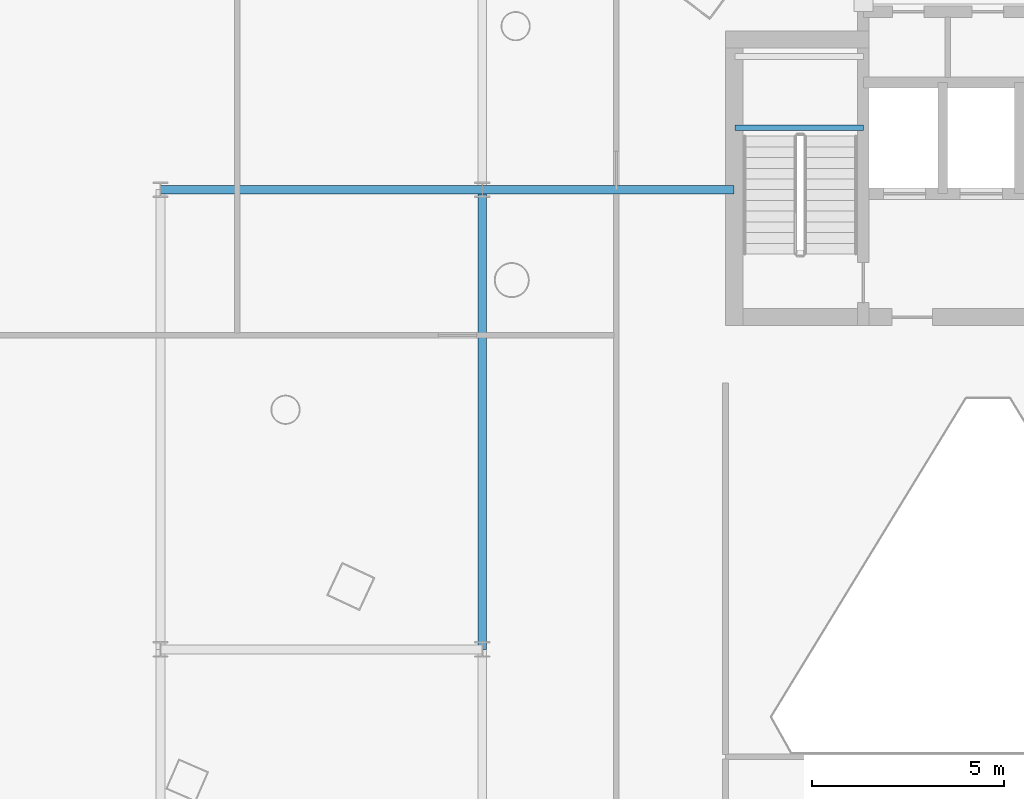
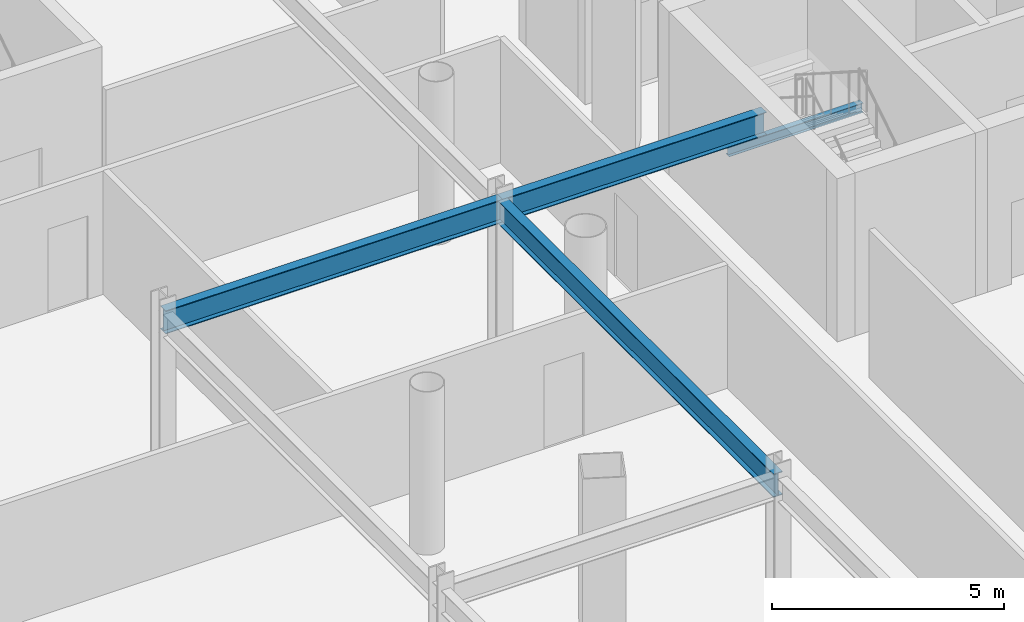
# One storey, part 12 of 46: 4 beams.
"""IFC4 building model written with IfcOpenShell, lengths in metres."""

from ifc_helpers import new_model, si_unit, direction, frame, origin, origin_2d, place, context, subcontext, project, spatial, i_section, extrude, material, material_profile, profile_set, type_object, element, save


model = new_model("IFC4")

# Units and contexts
model_context = context("Model", 3, precision=1e-05, world=origin(), true_north=direction((0.0, 1.0)))
body_context = subcontext(model_context, "Body", "Model", "MODEL_VIEW")
ifc_project = project(units=[si_unit("LENGTHUNIT", "METRE"), si_unit("AREAUNIT", "SQUARE_METRE"), si_unit("VOLUMEUNIT", "CUBIC_METRE"), si_unit("PLANEANGLEUNIT", "RADIAN"), si_unit("MASSUNIT", "GRAM", prefix="KILO")], contexts=[model_context])

# Site, building, storey
site_placement = place(None, origin())
site = spatial("IfcSite", under=ifc_project, at=site_placement, CompositionType="ELEMENT")
building_placement = place(site_placement, origin())
building = spatial("IfcBuilding", under=site, at=building_placement, Name="Orvanel Arch Residences", CompositionType="ELEMENT")
storey_placement = place(building_placement, frame((0.0, 0.0, 14.10009765625)))
storey = spatial("IfcBuildingStorey", under=building, at=storey_placement, Name="L03", CompositionType="ELEMENT", Elevation=14.10009765625)

# Beams
ifc_material = material(Name="Structural steel AS/NZS 3679.1 Grade 300 (300 MPa)", Category="steel")
ifc_material_profile_1 = material_profile(ifc_material, i_section(OverallWidth=0.22900390625, OverallDepth=0.612060546875, WebThickness=0.011962890625, FlangeThickness=0.01953125, at=origin_2d()), Name="610UB125")
ifc_profile_set_1 = profile_set([ifc_material_profile_1], Name="Structural steel AS/NZS 3679.1 Grade 300 (300 MPa)")
beam_type_1 = type_object("IfcBeamType", Name="BG-610UB", PredefinedType="BEAM", material=ifc_profile_set_1)
beam_1_placement = place(storey_placement, frame((11.39990234375, 30.0, 3.593994140625), z_axis=(1.0, 0.0, 0.0), x_axis=(0.0, 1.0, 0.0)))
element("IfcBeam", 1, at=beam_1_placement, inside=storey, type_object=beam_type_1, Name="L03 BG-610UB beam", PredefinedType="BEAM", context=body_context, shape_type="SweptSolid", body=[
    extrude(i_section(OverallWidth=0.22900390625, OverallDepth=0.612060546875, WebThickness=0.011962890625, FlangeThickness=0.01953125, at=origin_2d()), origin(), (0.0, 0.0, 1.0), 8.400146484375),
])
beam_2_placement = place(storey_placement, frame((19.800048828125, 30.0, 3.593994140625), z_axis=(1.0, 0.0, 0.0), x_axis=(0.0, 1.0, 0.0)))
element("IfcBeam", 2, at=beam_2_placement, inside=storey, type_object=beam_type_1, Name="L03 BG-610UB beam", PredefinedType="BEAM", context=body_context, shape_type="SweptSolid", body=[
    extrude(i_section(OverallWidth=0.22900390625, OverallDepth=0.612060546875, WebThickness=0.011962890625, FlangeThickness=0.01953125, at=origin_2d()), origin(), (0.0, 0.0, 1.0), 6.574951171875),
])
beam_3_placement = place(storey_placement, frame((19.800048828125, 18.0, 3.593994140625), z_axis=(0.0, 1.0, 0.0), x_axis=(-1.0, 0.0, 0.0)))
element("IfcBeam", 3, at=beam_3_placement, inside=storey, type_object=beam_type_1, Name="L03 North-South Podium Girder XW20-M", PredefinedType="BEAM", context=body_context, shape_type="SweptSolid", body=[
    extrude(i_section(OverallWidth=0.22900390625, OverallDepth=0.612060546875, WebThickness=0.011962890625, FlangeThickness=0.01953125, at=origin_2d()), origin(), (0.0, 0.0, 1.0), 12.0),
])
ifc_material_profile_2 = material_profile(ifc_material, i_section(OverallWidth=0.14599609375, OverallDepth=0.251953125, WebThickness=0.006103515625, FlangeThickness=0.008544921875, at=origin_2d()), Name="250UB31.4")
ifc_profile_set_2 = profile_set([ifc_material_profile_2], Name="Structural steel AS/NZS 3679.1 Grade 300 (300 MPa)")
beam_type_2 = type_object("IfcBeamType", Name="BJ-250UB", PredefinedType="JOIST", material=ifc_profile_set_2)
beam_4_placement = place(storey_placement, frame((26.39990234375, 31.6201171875, 1.823974609375), z_axis=(1.0, 0.0, 0.0), x_axis=(0.0, 1.0, 0.0)))
element("IfcBeam", 4, at=beam_4_placement, inside=storey, type_object=beam_type_2, Name="L03 ST-1 Half-Landing Support Beam 1.1", PredefinedType="JOIST", context=body_context, shape_type="SweptSolid", body=[
    extrude(i_section(OverallWidth=0.14599609375, OverallDepth=0.251953125, WebThickness=0.006103515625, FlangeThickness=0.008544921875, at=origin_2d()), origin(), (0.0, 0.0, 1.0), 3.35009765625),
])

save(model, "model.ifc")
